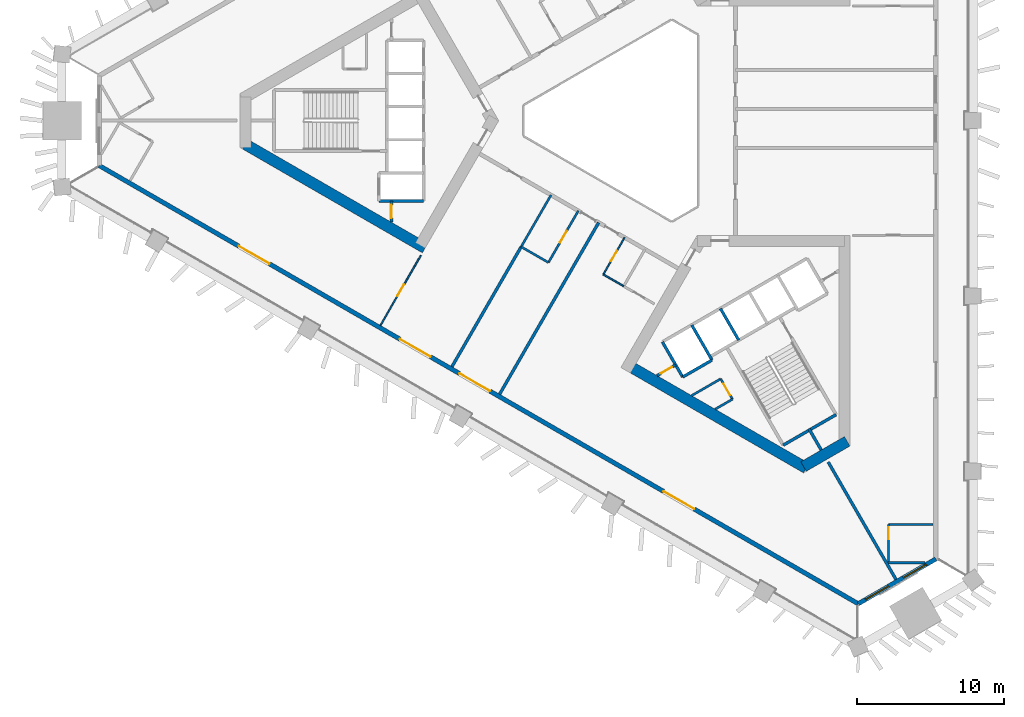
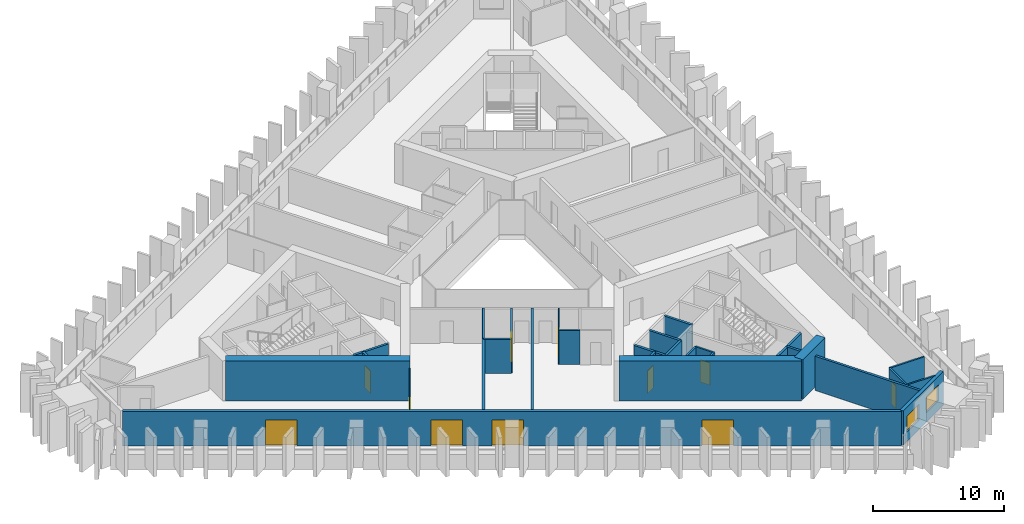
# One storey, part 2 of 10: 29 walls, 11 doors, 2 windows, 13 openings.
"""IFC4 building model written with IfcOpenShell, lengths in metres."""

from ifc_helpers import new_model, si_unit, direction, frame, frame_2d, origin, place, context, subcontext, project, spatial, rectangle, extrude, material, layer, layer_set, type_object, element, fill, save


model = new_model("IFC4")

# Units and contexts
model_context = context("Model", 3, precision=1e-05, world=origin(), true_north=direction((0.0, 1.0)))
body_context = subcontext(model_context, "Body", "Model", "MODEL_VIEW")
ifc_project = project(units=[si_unit("LENGTHUNIT", "METRE"), si_unit("AREAUNIT", "SQUARE_METRE"), si_unit("VOLUMEUNIT", "CUBIC_METRE"), si_unit("PLANEANGLEUNIT", "RADIAN"), si_unit("MASSUNIT", "GRAM", prefix="KILO")], contexts=[model_context])

# Site, building, storey
site_placement = place(None, origin())
site = spatial("IfcSite", under=ifc_project, at=site_placement, CompositionType="ELEMENT")
building_placement = place(site_placement, origin())
building = spatial("IfcBuilding", under=site, at=building_placement, Name="Jabali Bay Hotel Tower and Convention Centre", CompositionType="ELEMENT")
storey_placement = place(building_placement, frame((0.0, 0.0, 68.39990234375)))
storey = spatial("IfcBuildingStorey", under=building, at=storey_placement, Name="L15", CompositionType="ELEMENT", Elevation=68.39990234375)

# Wall, opening, door
ifc_material_1 = material(Name="Concrete C40", Category="concrete")
ifc_layer_1 = layer(ifc_material_1, 0.199951171875)
ifc_layer_set_1 = layer_set([ifc_layer_1], Name="Concrete C40")
wall_type_1 = type_object("IfcWallType", Name="Core partition wall 200", PredefinedType="PARTITIONING", material=ifc_layer_set_1)
wall_1_placement = place(storey_placement, frame((58.699951171875, 74.550048828125, 0.0), z_axis=(0.0, 0.0, 1.0), x_axis=(0.0, -1.0, 0.0)))
wall_1 = element("IfcWall", 1, at=wall_1_placement, inside=storey, type_object=wall_type_1, Name="Core wall 0.12 L15", PredefinedType="PARTITIONING", context=body_context, shape_type="SweptSolid", body=[
    extrude(rectangle(XDim=1.455078125, YDim=0.199951171875, at=frame_2d((0.7275390625, 0.0))), origin(), (0.0, 0.0, 1.0), 3.2001953125),
])
opening_1_placement = place(wall_1_placement, frame((0.277587890625, 0.0, 0.0)))
opening_1 = element("IfcOpeningElement", 2, at=opening_1_placement, cuts=wall_1, Name="Opening D386", PredefinedType="OPENING", context=body_context, shape_type="SweptSolid", body=[
    extrude(rectangle(XDim=0.89990234375, YDim=2.10009765625, at=frame_2d((0.449951171875, 1.050048828125))), frame((0.0, 0.1103515625, 0.0), z_axis=(0.0, -1.0, 0.0), x_axis=(1.0, 0.0, 0.0)), (0.0, 0.0, 1.0), 0.220947265625),
])
ifc_material_2 = material(Name="Fire-rated steel door", Category="steel")
door_type_1 = type_object("IfcDoorType", Name="Vestibule fire door 900 x 2100", OperationType="NOTDEFINED", PredefinedType="NOTDEFINED", material=ifc_material_2)
door_1_placement = place(opening_1_placement, origin())
door_1 = element("IfcDoor", 3, at=door_1_placement, inside=storey, type_object=door_type_1, Name="Vestibule fire door D386", OperationType="SINGLE_SWING_LEFT", OverallHeight=2.10009765625, OverallWidth=0.89990234375, PredefinedType="NOTDEFINED", context=body_context, shape_type="SweptSolid", body=[
    extrude(rectangle(XDim=0.89990234375, YDim=2.10009765625, at=frame_2d((0.449951171875, 1.050048828125))), frame((0.0, 0.02490234375, 0.0), z_axis=(0.0, -1.0, 0.0), x_axis=(1.0, 0.0, 0.0)), (0.0, 0.0, 1.0), 0.050048828125),
])
fill(opening_1, door_1)

# Wall
wall_2_placement = place(storey_placement, frame((87.090087890625, 59.0595703125, 0.0), z_axis=(0.0, 0.0, 1.0), x_axis=(0.499937194881, -0.866061661301, 0.0)))
element("IfcWall", 4, at=wall_2_placement, inside=storey, type_object=wall_type_1, Name="Core wall 2.5 L15", PredefinedType="PARTITIONING", context=body_context, shape_type="SweptSolid", body=[
    extrude(rectangle(XDim=1.673095703125, YDim=0.199951171875, at=frame_2d((0.83642578125, 0.0))), origin(), (0.0, 0.0, 1.0), 3.2001953125),
])

# Wall, opening, door
wall_3_placement = place(storey_placement, frame((76.77001953125, 62.662109375, 0.0), z_axis=(0.0, 0.0, 1.0), x_axis=(0.866054810376, 0.49994906283, 0.0)))
wall_3 = element("IfcWall", 5, at=wall_3_placement, inside=storey, type_object=wall_type_1, Name="Core wall 2.11 L15", PredefinedType="PARTITIONING", context=body_context, shape_type="SweptSolid", body=[
    extrude(rectangle(XDim=1.461181640625, YDim=0.199951171875, at=frame_2d((0.73046875, 0.0))), origin(), (0.0, 0.0, 1.0), 3.2001953125),
])
opening_2_placement = place(wall_3_placement, frame((0.280517578125, 0.0, 0.0)))
opening_2 = element("IfcOpeningElement", 6, at=opening_2_placement, cuts=wall_3, Name="Opening D399", PredefinedType="OPENING", context=body_context, shape_type="SweptSolid", body=[
    extrude(rectangle(XDim=0.89990234375, YDim=2.10009765625, at=frame_2d((0.449951171875, 1.050048828125))), frame((0.0, 0.1103515625, 0.0), z_axis=(0.0, -1.0, 0.0), x_axis=(1.0, 0.0, 0.0)), (0.0, 0.0, 1.0), 0.220947265625),
])
door_2_placement = place(opening_2_placement, origin())
door_2 = element("IfcDoor", 7, at=door_2_placement, inside=storey, type_object=door_type_1, Name="Vestibule fire door D399", OperationType="SINGLE_SWING_LEFT", OverallHeight=2.10009765625, OverallWidth=0.89990234375, PredefinedType="NOTDEFINED", context=body_context, shape_type="SweptSolid", body=[
    extrude(rectangle(XDim=0.89990234375, YDim=2.10009765625, at=frame_2d((0.449951171875, 1.050048828125))), frame((0.0, 0.02490234375, 0.0), z_axis=(0.0, -1.0, 0.0), x_axis=(1.0, 0.0, 0.0)), (0.0, 0.0, 1.0), 0.050048828125),
])
fill(opening_2, door_2)

ifc_material_3 = material(Name="Fire-rated board partition")
ifc_layer_2 = layer(ifc_material_3, 0.14990234375)
ifc_layer_set_2 = layer_set([ifc_layer_2], Name="Fire-rated board partition")
wall_type_2 = type_object("IfcWallType", Name="Core room partition 150", PredefinedType="PARTITIONING", material=ifc_layer_set_2)
wall_4_placement = place(storey_placement, frame((81.093994140625, 62.445068359375, 0.0), z_axis=(0.0, 0.0, 1.0), x_axis=(0.499880961361, -0.866094119867, 0.0)))
wall_4 = element("IfcWall", 8, at=wall_4_placement, inside=storey, type_object=wall_type_2, Name="Core wall 2.1 L15", PredefinedType="PARTITIONING", context=body_context, shape_type="SweptSolid", body=[
    extrude(rectangle(XDim=1.60009765625, YDim=0.14990234375, at=frame_2d((0.800048828125, 0.0))), origin(), (0.0, 0.0, 1.0), 3.2001953125),
])
opening_3_placement = place(wall_4_placement, frame((0.387451171875, 0.0, 0.0)))
opening_3 = element("IfcOpeningElement", 9, at=opening_3_placement, cuts=wall_4, Name="Opening D401", PredefinedType="OPENING", context=body_context, shape_type="SweptSolid", body=[
    extrude(rectangle(XDim=0.89990234375, YDim=2.10009765625, at=frame_2d((0.449951171875, 1.050048828125))), frame((0.0, 0.08544921875, 0.0), z_axis=(0.0, -1.0, 0.0), x_axis=(1.0, 0.0, 0.0)), (0.0, 0.0, 1.0), 0.1708984375),
])
door_type_2 = type_object("IfcDoorType", Name="Core room door 900 x 2100", OperationType="NOTDEFINED", PredefinedType="NOTDEFINED", material=ifc_material_2)
door_3_placement = place(opening_3_placement, origin())
door_3 = element("IfcDoor", 10, at=door_3_placement, inside=storey, type_object=door_type_2, Name="Core room door D401", OperationType="SINGLE_SWING_LEFT", OverallHeight=2.10009765625, OverallWidth=0.89990234375, PredefinedType="NOTDEFINED", context=body_context, shape_type="SweptSolid", body=[
    extrude(rectangle(XDim=0.89990234375, YDim=2.10009765625, at=frame_2d((0.449951171875, 1.050048828125))), frame((0.0, 0.02490234375, 0.0), z_axis=(0.0, -1.0, 0.0), x_axis=(1.0, 0.0, 0.0)), (0.0, 0.0, 1.0), 0.050048828125),
])
fill(opening_3, door_3)

# Walls
wall_5_placement = place(storey_placement, frame((79.119873046875, 61.305419921875, 0.0), z_axis=(0.0, 0.0, 1.0), x_axis=(0.866046471269, 0.499963508271, 0.0)))
element("IfcWall", 11, at=wall_5_placement, inside=storey, type_object=wall_type_2, Name="Core wall 2.16 L15", PredefinedType="PARTITIONING", context=body_context, shape_type="SweptSolid", body=[
    extrude(rectangle(XDim=2.279541015625, YDim=0.14990234375, at=frame_2d((1.1396484375, 0.0))), origin(), (0.0, 0.0, 1.0), 3.2001953125),
])
wall_6_placement = place(storey_placement, frame((80.719970703125, 60.381591796875, 0.0), z_axis=(0.0, 0.0, 1.0), x_axis=(0.866017611601, 0.500013496215, 0.0)))
element("IfcWall", 12, at=wall_6_placement, inside=storey, type_object=wall_type_2, Name="Core wall 2.17 L15", PredefinedType="PARTITIONING", context=body_context, shape_type="SweptSolid", body=[
    extrude(rectangle(XDim=1.35546875, YDim=0.14990234375, at=frame_2d((0.677734375, 0.0))), origin(), (0.0, 0.0, 1.0), 3.2001953125),
])
ifc_layer_3 = layer(ifc_material_1, 0.199951171875)
ifc_layer_set_3 = layer_set([ifc_layer_3], Name="Concrete C40")
wall_type_3 = type_object("IfcWallType", Name="Core stair wall 200", PredefinedType="SOLIDWALL", material=ifc_layer_set_3)
wall_7_placement = place(storey_placement, frame((60.89990234375, 74.550048828125, 0.0), z_axis=(0.0, 0.0, 1.0), x_axis=(-1.0, 0.0, 0.0)))
element("IfcWall", 13, at=wall_7_placement, inside=storey, type_object=wall_type_3, Name="Core wall 0.9 L15", PredefinedType="SOLIDWALL", context=body_context, shape_type="SweptSolid", body=[
    extrude(rectangle(XDim=3.0498046875, YDim=0.199951171875, at=frame_2d((1.52490234375, 0.0))), origin(), (0.0, 0.0, 1.0), 3.2001953125),
])
for number, where, z_axis, x_axis, name in (
    (14, (77.13525390625, 64.95166015625, 0.0), (0.0, 0.0, 1.0), (0.499996545922, -0.866027397988, 0.0), "Core wall 2.0 L15"),
    (15, (79.127197265625, 66.1015625, 0.0), (0.0, 0.0, 1.0), (0.499996545922, -0.866027397988, 0.0), "Core wall 2.2 L15"),
):
    element("IfcWall", number, at=place(storey_placement, frame(where, z_axis=z_axis, x_axis=x_axis)), inside=storey, type_object=wall_type_3, Name=name, PredefinedType="SOLIDWALL", context=body_context, shape_type="SweptSolid", body=[
        extrude(rectangle(XDim=2.75, YDim=0.199951171875, at=frame_2d((1.375, 0.0))), origin(), (0.0, 0.0, 1.0), 3.2001953125),
    ])
wall_8_placement = place(storey_placement, frame((81.07568359375, 67.2265625, 0.0), z_axis=(0.0, 0.0, 1.0), x_axis=(0.50000366821, -0.866023285932, 0.0)))
element("IfcWall", 16, at=wall_8_placement, inside=storey, type_object=wall_type_3, Name="Core wall 2.4 L15", PredefinedType="SOLIDWALL", context=body_context, shape_type="SweptSolid", body=[
    extrude(rectangle(XDim=2.47998046875, YDim=0.199951171875, at=frame_2d((1.239990234375, 0.0))), origin(), (0.0, 0.0, 1.0), 3.2001953125),
])
wall_9_placement = place(storey_placement, frame((78.51025390625, 62.570068359375, 0.0), z_axis=(0.0, 0.0, 1.0), x_axis=(0.866053019151, 0.499952165731, 0.0)))
element("IfcWall", 17, at=wall_9_placement, inside=storey, type_object=wall_type_3, Name="Core wall 2.14 L15", PredefinedType="SOLIDWALL", context=body_context, shape_type="SweptSolid", body=[
    extrude(rectangle(XDim=2.300048828125, YDim=0.199951171875, at=frame_2d((1.14990234375, 0.0))), origin(), (0.0, 0.0, 1.0), 3.2001953125),
])
wall_10_placement = place(storey_placement, frame((85.343017578125, 57.935302734375, 0.0), z_axis=(0.0, 0.0, 1.0), x_axis=(0.866004344652, 0.500036473714, 0.0)))
element("IfcWall", 18, at=wall_10_placement, inside=storey, type_object=wall_type_3, Name="Core wall 2.18 L15", PredefinedType="SOLIDWALL", context=body_context, shape_type="SweptSolid", body=[
    extrude(rectangle(XDim=4.150146484375, YDim=0.199951171875, at=frame_2d((2.0751953125, 0.0))), origin(), (0.0, 0.0, 1.0), 3.2001953125),
])
ifc_material_4 = material(Name="Concrete C60", Category="concrete")
ifc_layer_4 = layer(ifc_material_4, 0.75)
ifc_layer_set_4 = layer_set([ifc_layer_4], Name="Concrete C60")
wall_type_4 = type_object("IfcWallType", Name="Core wall 750", PredefinedType="SHEAR", material=ifc_layer_set_4)
wall_11_placement = place(storey_placement, frame((48.77197265625, 78.393798828125, 0.0), z_axis=(0.0, 0.0, 1.0), x_axis=(0.866028339916, -0.499994914436, 0.0)))
element("IfcWall", 19, at=wall_11_placement, inside=storey, type_object=wall_type_4, Name="Core wall 1.4 L15", PredefinedType="SHEAR", context=body_context, shape_type="SweptSolid", body=[
    extrude(rectangle(XDim=14.116943359375, YDim=0.75, at=frame_2d((7.05859375, 0.0))), origin(), (0.0, 0.0, 1.0), 3.7001953125),
])
wall_12_placement = place(storey_placement, frame((74.822265625, 63.353759765625, 0.0), z_axis=(0.0, 0.0, 1.0), x_axis=(0.8660248072, -0.500001033313, 0.0)))
element("IfcWall", 20, at=wall_12_placement, inside=storey, type_object=wall_type_4, Name="Core wall 3.2 L15", PredefinedType="SHEAR", context=body_context, shape_type="SweptSolid", body=[
    extrude(rectangle(XDim=13.95849609375, YDim=0.75, at=frame_2d((6.979248046875, 0.0))), origin(), (0.0, 0.0, 1.0), 3.7001953125),
])
wall_13_placement = place(storey_placement, frame((86.72314453125, 56.482666015625, 0.0), z_axis=(0.0, 0.0, 1.0), x_axis=(0.866017201164, 0.500014207086, 0.0)))
element("IfcWall", 21, at=wall_13_placement, inside=storey, type_object=wall_type_4, Name="Core wall 3.3 L15", PredefinedType="SHEAR", context=body_context, shape_type="SweptSolid", body=[
    extrude(rectangle(XDim=3.4287109375, YDim=0.75, at=frame_2d((1.71435546875, 0.0))), origin(), (0.0, 0.0, 1.0), 3.7001953125),
])

# Wall, openings, windows
ifc_layer_5 = layer(ifc_material_1, 0.300048828125)
ifc_layer_set_5 = layer_set([ifc_layer_5], Name="Concrete C40")
wall_type_5 = type_object("IfcWallType", Name="External wall 300", PredefinedType="SOLIDWALL", material=ifc_layer_set_5)
wall_14_placement = place(storey_placement, frame((95.724853515625, 50.2021484375, 0.0), z_axis=(0.0, 0.0, 1.0), x_axis=(-0.866022255349, -0.500005453211, 0.0)))
wall_14 = element("IfcWall", 22, at=wall_14_placement, inside=storey, type_object=wall_type_5, Name="External wall south-east chamfer L15", PredefinedType="SOLIDWALL", context=body_context, shape_type="SweptSolid", body=[
    extrude(rectangle(XDim=6.0986328125, YDim=0.300048828125, at=frame_2d((3.04931640625, 0.0))), origin(), (0.0, 0.0, 1.0), 3.2001953125),
])
opening_4_placement = place(wall_14_placement, frame((0.74853515625, 0.0, 0.89990234375)))
opening_4 = element("IfcOpeningElement", 23, at=opening_4_placement, cuts=wall_14, Name="Opening W1", PredefinedType="OPENING", context=body_context, shape_type="SweptSolid", body=[
    extrude(rectangle(XDim=1.800048828125, YDim=1.5, at=frame_2d((0.89990234375, 0.75))), frame((0.0, 0.16064453125, 0.0), z_axis=(0.0, -1.0, 0.0), x_axis=(1.0, 0.0, 0.0)), (0.0, 0.0, 1.0), 0.321044921875),
])
opening_5_placement = place(wall_14_placement, frame((3.716552734375, 0.0, 0.89990234375)))
opening_5 = element("IfcOpeningElement", 24, at=opening_5_placement, cuts=wall_14, Name="Opening W1", PredefinedType="OPENING", context=body_context, shape_type="SweptSolid", body=[
    extrude(rectangle(XDim=1.800048828125, YDim=1.5, at=frame_2d((0.89990234375, 0.75))), frame((0.0, 0.16064453125, 0.0), z_axis=(0.0, -1.0, 0.0), x_axis=(1.0, 0.0, 0.0)), (0.0, 0.0, 1.0), 0.321044921875),
])
ifc_material_5 = material(Name="Glass", Category="glass")
window_type = type_object("IfcWindowType", Name="Window 1800 x 1500", PartitioningType="SINGLE_PANEL", PredefinedType="WINDOW", material=ifc_material_5)
window_1_placement = place(opening_4_placement, origin())
window_1 = element("IfcWindow", 25, at=window_1_placement, inside=storey, type_object=window_type, Name="Window 1501", OverallHeight=1.5, OverallWidth=1.800048828125, PartitioningType="SINGLE_PANEL", PredefinedType="WINDOW", context=body_context, shape_type="SweptSolid", body=[
    extrude(rectangle(XDim=1.800048828125, YDim=1.5, at=frame_2d((0.89990234375, 0.75))), frame((0.0, 0.030029296875, 0.0), z_axis=(0.0, -1.0, 0.0), x_axis=(1.0, 0.0, 0.0)), (0.0, 0.0, 1.0), 0.06005859375),
])
fill(opening_4, window_1)
window_2_placement = place(opening_5_placement, origin())
window_2 = element("IfcWindow", 26, at=window_2_placement, inside=storey, type_object=window_type, Name="Window 1510", OverallHeight=1.5, OverallWidth=1.800048828125, PartitioningType="SINGLE_PANEL", PredefinedType="WINDOW", context=body_context, shape_type="SweptSolid", body=[
    extrude(rectangle(XDim=1.800048828125, YDim=1.5, at=frame_2d((0.89990234375, 0.75))), frame((0.0, 0.030029296875, 0.0), z_axis=(0.0, -1.0, 0.0), x_axis=(1.0, 0.0, 0.0)), (0.0, 0.0, 1.0), 0.06005859375),
])
fill(opening_5, window_2)

# Wall, openings, doors
wall_15_placement = place(storey_placement, frame((90.443359375, 47.15283203125, 0.0), z_axis=(0.0, 0.0, 1.0), x_axis=(-0.866024382485, 0.500001768939, 0.0)))
wall_15 = element("IfcWall", 27, at=wall_15_placement, inside=storey, type_object=wall_type_5, Name="External wall south-west face L15", PredefinedType="SOLIDWALL", context=body_context, shape_type="SweptSolid", body=[
    extrude(rectangle(XDim=59.595947265625, YDim=0.300048828125, at=frame_2d((29.7978515625, 0.0))), origin(), (0.0, 0.0, 1.0), 3.2001953125),
])
opening_6_placement = place(wall_15_placement, frame((28.90966796875, 0.0, 0.0)))
opening_6 = element("IfcOpeningElement", 28, at=opening_6_placement, cuts=wall_15, Name="Opening SD1", PredefinedType="OPENING", context=body_context, shape_type="SweptSolid", body=[
    extrude(rectangle(XDim=2.39990234375, YDim=2.39990234375, at=frame_2d((1.199951171875, 1.199951171875))), frame((0.0, 0.16064453125, 0.0), z_axis=(0.0, -1.0, 0.0), x_axis=(1.0, 0.0, 0.0)), (0.0, 0.0, 1.0), 0.321044921875),
])
opening_7_placement = place(wall_15_placement, frame((33.586181640625, 0.0, 0.0)))
opening_7 = element("IfcOpeningElement", 29, at=opening_7_placement, cuts=wall_15, Name="Opening SD1", PredefinedType="OPENING", context=body_context, shape_type="SweptSolid", body=[
    extrude(rectangle(XDim=2.39990234375, YDim=2.39990234375, at=frame_2d((1.199951171875, 1.199951171875))), frame((0.0, 0.16064453125, 0.0), z_axis=(0.0, -1.0, 0.0), x_axis=(1.0, 0.0, 0.0)), (0.0, 0.0, 1.0), 0.321044921875),
])
opening_8_placement = place(wall_15_placement, frame((46.230224609375, 0.0, 0.0)))
opening_8 = element("IfcOpeningElement", 30, at=opening_8_placement, cuts=wall_15, Name="Opening SD1", PredefinedType="OPENING", context=body_context, shape_type="SweptSolid", body=[
    extrude(rectangle(XDim=2.39990234375, YDim=2.39990234375, at=frame_2d((1.199951171875, 1.199951171875))), frame((0.0, 0.16064453125, 0.0), z_axis=(0.0, -1.0, 0.0), x_axis=(1.0, 0.0, 0.0)), (0.0, 0.0, 1.0), 0.321044921875),
])
opening_9_placement = place(wall_15_placement, frame((12.876220703125, 0.0, 0.0)))
opening_9 = element("IfcOpeningElement", 31, at=opening_9_placement, cuts=wall_15, Name="Opening SD1", PredefinedType="OPENING", context=body_context, shape_type="SweptSolid", body=[
    extrude(rectangle(XDim=2.39990234375, YDim=2.39990234375, at=frame_2d((1.199951171875, 1.199951171875))), frame((0.0, 0.16064453125, 0.0), z_axis=(0.0, -1.0, 0.0), x_axis=(1.0, 0.0, 0.0)), (0.0, 0.0, 1.0), 0.321044921875),
])
door_type_3 = type_object("IfcDoorType", Name="Loggia sliding door 2400 x 2400", OperationType="NOTDEFINED", PredefinedType="NOTDEFINED", material=ifc_material_5)
door_4_placement = place(opening_6_placement, origin())
door_4 = element("IfcDoor", 32, at=door_4_placement, inside=storey, type_object=door_type_3, Name="Loggia sliding door 1509", OperationType="SLIDING_TO_LEFT", OverallHeight=2.39990234375, OverallWidth=2.39990234375, PredefinedType="NOTDEFINED", context=body_context, shape_type="SweptSolid", body=[
    extrude(rectangle(XDim=2.39990234375, YDim=2.39990234375, at=frame_2d((1.199951171875, 1.199951171875))), frame((0.0, 0.02490234375, 0.0), z_axis=(0.0, -1.0, 0.0), x_axis=(1.0, 0.0, 0.0)), (0.0, 0.0, 1.0), 0.050048828125),
])
fill(opening_6, door_4)
door_5_placement = place(opening_7_placement, origin())
door_5 = element("IfcDoor", 33, at=door_5_placement, inside=storey, type_object=door_type_3, Name="Loggia sliding door 1508", OperationType="SLIDING_TO_RIGHT", OverallHeight=2.39990234375, OverallWidth=2.39990234375, PredefinedType="NOTDEFINED", context=body_context, shape_type="SweptSolid", body=[
    extrude(rectangle(XDim=2.39990234375, YDim=2.39990234375, at=frame_2d((1.199951171875, 1.199951171875))), frame((0.0, 0.02490234375, 0.0), z_axis=(0.0, -1.0, 0.0), x_axis=(1.0, 0.0, 0.0)), (0.0, 0.0, 1.0), 0.050048828125),
])
fill(opening_7, door_5)
door_6_placement = place(opening_8_placement, origin())
door_6 = element("IfcDoor", 34, at=door_6_placement, inside=storey, type_object=door_type_3, Name="Loggia sliding door 1508", OperationType="SLIDING_TO_LEFT", OverallHeight=2.39990234375, OverallWidth=2.39990234375, PredefinedType="NOTDEFINED", context=body_context, shape_type="SweptSolid", body=[
    extrude(rectangle(XDim=2.39990234375, YDim=2.39990234375, at=frame_2d((1.199951171875, 1.199951171875))), frame((0.0, 0.02490234375, 0.0), z_axis=(0.0, -1.0, 0.0), x_axis=(1.0, 0.0, 0.0)), (0.0, 0.0, 1.0), 0.050048828125),
])
fill(opening_8, door_6)
door_7_placement = place(opening_9_placement, origin())
door_7 = element("IfcDoor", 35, at=door_7_placement, inside=storey, type_object=door_type_3, Name="Loggia sliding door 1510", OperationType="SLIDING_TO_RIGHT", OverallHeight=2.39990234375, OverallWidth=2.39990234375, PredefinedType="NOTDEFINED", context=body_context, shape_type="SweptSolid", body=[
    extrude(rectangle(XDim=2.39990234375, YDim=2.39990234375, at=frame_2d((1.199951171875, 1.199951171875))), frame((0.0, 0.02490234375, 0.0), z_axis=(0.0, -1.0, 0.0), x_axis=(1.0, 0.0, 0.0)), (0.0, 0.0, 1.0), 0.050048828125),
])
fill(opening_9, door_7)

# Wall, opening, door
ifc_material_6 = material(Name="Plasterboard on steel stud", Category="steel")
ifc_layer_6 = layer(ifc_material_6, 0.10009765625)
ifc_layer_set_6 = layer_set([ifc_layer_6], Name="Plasterboard on steel stud")
wall_type_6 = type_object("IfcWallType", Name="Partition 100 unit", PredefinedType="PARTITIONING", material=ifc_layer_set_6)
wall_16_placement = place(storey_placement, frame((60.71044921875, 70.83837890625, 0.0), z_axis=(0.0, 0.0, 1.0), x_axis=(-0.499974920023, -0.866039883231, 0.0)))
wall_16 = element("IfcWall", 36, at=wall_16_placement, inside=storey, type_object=wall_type_6, Name="Partition P02 L15 027", PredefinedType="PARTITIONING", context=body_context, shape_type="SweptSolid", body=[
    extrude(rectangle(XDim=5.496826171875, YDim=0.10009765625, at=frame_2d((2.74853515625, 0.0))), origin(), (0.0, 0.0, 1.0), 3.2001953125),
])
opening_10_placement = place(wall_16_placement, frame((2.298095703125, 0.0, 0.0)))
opening_10 = element("IfcOpeningElement", 37, at=opening_10_placement, cuts=wall_16, Name="Opening 1518", PredefinedType="OPENING", context=body_context, shape_type="SweptSolid", body=[
    extrude(rectangle(XDim=0.89990234375, YDim=2.10009765625, at=frame_2d((0.449951171875, 1.050048828125))), frame((0.0, 0.060546875, 0.0), z_axis=(0.0, -1.0, 0.0), x_axis=(1.0, 0.0, 0.0)), (0.0, 0.0, 1.0), 0.12109375),
])
ifc_material_7 = material(Name="Timber", Category="wood")
door_type_4 = type_object("IfcDoorType", Name="Internal door 900 x 2100", OperationType="NOTDEFINED", PredefinedType="NOTDEFINED", material=ifc_material_7)
door_8_placement = place(opening_10_placement, origin())
door_8 = element("IfcDoor", 38, at=door_8_placement, inside=storey, type_object=door_type_4, Name="Door 1518", OperationType="SINGLE_SWING_LEFT", OverallHeight=2.10009765625, OverallWidth=0.89990234375, PredefinedType="NOTDEFINED", context=body_context, shape_type="SweptSolid", body=[
    extrude(rectangle(XDim=0.89990234375, YDim=2.10009765625, at=frame_2d((0.449951171875, 1.050048828125))), frame((0.0, 0.02490234375, 0.0), z_axis=(0.0, -1.0, 0.0), x_axis=(1.0, 0.0, 0.0)), (0.0, 0.0, 1.0), 0.050048828125),
])
fill(opening_10, door_8)

# Wall
wall_17_placement = place(storey_placement, frame((74.498291015625, 68.74267578125, 0.0), z_axis=(0.0, 0.0, 1.0), x_axis=(-0.865989903783, 0.500061482766, 0.0)))
element("IfcWall", 39, at=wall_17_placement, inside=storey, type_object=wall_type_6, Name="Partition P02 L15 037", PredefinedType="PARTITIONING", context=body_context, shape_type="SweptSolid", body=[
    extrude(rectangle(XDim=1.599853515625, YDim=0.10009765625, at=frame_2d((0.7998046875, 0.0))), origin(), (0.0, 0.0, 1.0), 3.2001953125),
])

# Wall, opening, door
wall_18_placement = place(storey_placement, frame((73.11279296875, 69.542724609375, 0.0), z_axis=(0.0, 0.0, 1.0), x_axis=(0.499987231761, 0.866032775405, 0.0)))
wall_18 = element("IfcWall", 40, at=wall_18_placement, inside=storey, type_object=wall_type_6, Name="Partition P02 L15 038", PredefinedType="PARTITIONING", context=body_context, shape_type="SweptSolid", body=[
    extrude(rectangle(XDim=2.89990234375, YDim=0.10009765625, at=frame_2d((1.449951171875, 0.0))), origin(), (0.0, 0.0, 1.0), 3.2001953125),
])
opening_11_placement = place(wall_18_placement, frame((1.050048828125, 0.0, 0.0)))
opening_11 = element("IfcOpeningElement", 41, at=opening_11_placement, cuts=wall_18, Name="Opening 1523", PredefinedType="OPENING", context=body_context, shape_type="SweptSolid", body=[
    extrude(rectangle(XDim=0.800048828125, YDim=2.10009765625, at=frame_2d((0.39990234375, 1.050048828125))), frame((0.0, 0.060546875, 0.0), z_axis=(0.0, -1.0, 0.0), x_axis=(1.0, 0.0, 0.0)), (0.0, 0.0, 1.0), 0.12109375),
])
door_type_5 = type_object("IfcDoorType", Name="Dressing room door 800 x 2100", OperationType="NOTDEFINED", PredefinedType="NOTDEFINED", material=ifc_material_7)
door_9_placement = place(opening_11_placement, origin())
door_9 = element("IfcDoor", 42, at=door_9_placement, inside=storey, type_object=door_type_5, Name="Door 1523", OperationType="SINGLE_SWING_RIGHT", OverallHeight=2.10009765625, OverallWidth=0.800048828125, PredefinedType="NOTDEFINED", context=body_context, shape_type="SweptSolid", body=[
    extrude(rectangle(XDim=0.800048828125, YDim=2.10009765625, at=frame_2d((0.39990234375, 1.050048828125))), frame((0.0, 0.02490234375, 0.0), z_axis=(0.0, -1.0, 0.0), x_axis=(1.0, 0.0, 0.0)), (0.0, 0.0, 1.0), 0.050048828125),
])
fill(opening_11, door_9)

# Wall
ifc_layer_7 = layer(ifc_material_6, 0.14990234375)
ifc_layer_set_7 = layer_set([ifc_layer_7], Name="Plasterboard on steel stud")
wall_type_7 = type_object("IfcWallType", Name="Partition 150 wet", PredefinedType="PARTITIONING", material=ifc_layer_set_7)
wall_19_placement = place(storey_placement, frame((94.98583984375, 49.947509765625, 0.0), z_axis=(0.0, 0.0, 1.0), x_axis=(-1.0, 0.0, 0.0)))
element("IfcWall", 43, at=wall_19_placement, inside=storey, type_object=wall_type_7, Name="Partition P03 L15 003", PredefinedType="PARTITIONING", context=body_context, shape_type="SweptSolid", body=[
    extrude(rectangle(XDim=2.484375, YDim=0.14990234375, at=frame_2d((1.2421875, 0.0))), origin(), (0.0, 0.0, 1.0), 3.2001953125),
])

# Wall, opening, door
wall_20_placement = place(storey_placement, frame((92.50146484375, 49.947509765625, 0.0), z_axis=(0.0, 0.0, 1.0), x_axis=(0.0, 1.0, 0.0)))
wall_20 = element("IfcWall", 44, at=wall_20_placement, inside=storey, type_object=wall_type_7, Name="Partition P03 L15 004", PredefinedType="PARTITIONING", context=body_context, shape_type="SweptSolid", body=[
    extrude(rectangle(XDim=2.60009765625, YDim=0.14990234375, at=frame_2d((1.300048828125, 0.0))), origin(), (0.0, 0.0, 1.0), 3.2001953125),
])
opening_12_placement = place(wall_20_placement, frame((1.60009765625, 0.0, 0.0)))
opening_12 = element("IfcOpeningElement", 45, at=opening_12_placement, cuts=wall_20, Name="Opening 1503", PredefinedType="OPENING", context=body_context, shape_type="SweptSolid", body=[
    extrude(rectangle(XDim=0.800048828125, YDim=2.10009765625, at=frame_2d((0.39990234375, 1.050048828125))), frame((0.0, 0.08544921875, 0.0), z_axis=(0.0, -1.0, 0.0), x_axis=(1.0, 0.0, 0.0)), (0.0, 0.0, 1.0), 0.1708984375),
])
door_type_6 = type_object("IfcDoorType", Name="En-suite door 800 x 2100", OperationType="NOTDEFINED", PredefinedType="NOTDEFINED", material=ifc_material_7)
door_10_placement = place(opening_12_placement, origin())
door_10 = element("IfcDoor", 46, at=door_10_placement, inside=storey, type_object=door_type_6, Name="Door 1503", OperationType="SINGLE_SWING_RIGHT", OverallHeight=2.10009765625, OverallWidth=0.800048828125, PredefinedType="NOTDEFINED", context=body_context, shape_type="SweptSolid", body=[
    extrude(rectangle(XDim=0.800048828125, YDim=2.10009765625, at=frame_2d((0.39990234375, 1.050048828125))), frame((0.0, 0.02490234375, 0.0), z_axis=(0.0, -1.0, 0.0), x_axis=(1.0, 0.0, 0.0)), (0.0, 0.0, 1.0), 0.050048828125),
])
fill(opening_12, door_10)

# Walls
wall_21_placement = place(storey_placement, frame((92.50146484375, 52.547607421875, 0.0), z_axis=(0.0, 0.0, 1.0), x_axis=(1.0, 0.0, 0.0)))
element("IfcWall", 47, at=wall_21_placement, inside=storey, type_object=wall_type_7, Name="Partition P03 L15 005", PredefinedType="PARTITIONING", context=body_context, shape_type="SweptSolid", body=[
    extrude(rectangle(XDim=3.033203125, YDim=0.14990234375, at=frame_2d((1.5166015625, 0.0))), origin(), (0.0, 0.0, 1.0), 3.2001953125),
])
wall_22_placement = place(storey_placement, frame((67.528564453125, 71.423583984375, 0.0), z_axis=(0.0, 0.0, 1.0), x_axis=(0.499984252764, 0.866034495264, 0.0)))
element("IfcWall", 48, at=wall_22_placement, inside=storey, type_object=wall_type_7, Name="Partition P03 L15 029", PredefinedType="PARTITIONING", context=body_context, shape_type="SweptSolid", body=[
    extrude(rectangle(XDim=4.063232421875, YDim=0.14990234375, at=frame_2d((2.03173828125, 0.0))), origin(), (0.0, 0.0, 1.0), 3.2001953125),
])

# Wall, opening, door
wall_23_placement = place(storey_placement, frame((71.414306640625, 73.871826171875, 0.0), z_axis=(0.0, 0.0, 1.0), x_axis=(-0.499984252764, -0.866034495264, 0.0)))
wall_23 = element("IfcWall", 49, at=wall_23_placement, inside=storey, type_object=wall_type_7, Name="Partition P03 L15 033", PredefinedType="PARTITIONING", context=body_context, shape_type="SweptSolid", body=[
    extrude(rectangle(XDim=4.063232421875, YDim=0.14990234375, at=frame_2d((2.03173828125, 0.0))), origin(), (0.0, 0.0, 1.0), 3.2001953125),
])
opening_13_placement = place(wall_23_placement, frame((1.58203125, 0.0, 0.0)))
opening_13 = element("IfcOpeningElement", 50, at=opening_13_placement, cuts=wall_23, Name="Opening 1520", PredefinedType="OPENING", context=body_context, shape_type="SweptSolid", body=[
    extrude(rectangle(XDim=0.89990234375, YDim=2.10009765625, at=frame_2d((0.449951171875, 1.050048828125))), frame((0.0, 0.08544921875, 0.0), z_axis=(0.0, -1.0, 0.0), x_axis=(1.0, 0.0, 0.0)), (0.0, 0.0, 1.0), 0.1708984375),
])
door_type_7 = type_object("IfcDoorType", Name="Accessible en-suite door 900 x 2100", OperationType="NOTDEFINED", PredefinedType="NOTDEFINED", material=ifc_material_7)
door_11_placement = place(opening_13_placement, origin())
door_11 = element("IfcDoor", 51, at=door_11_placement, inside=storey, type_object=door_type_7, Name="Door 1520", OperationType="SINGLE_SWING_RIGHT", OverallHeight=2.10009765625, OverallWidth=0.89990234375, PredefinedType="NOTDEFINED", context=body_context, shape_type="SweptSolid", body=[
    extrude(rectangle(XDim=0.89990234375, YDim=2.10009765625, at=frame_2d((0.449951171875, 1.050048828125))), frame((0.0, 0.02490234375, 0.0), z_axis=(0.0, -1.0, 0.0), x_axis=(1.0, 0.0, 0.0)), (0.0, 0.0, 1.0), 0.050048828125),
])
fill(opening_13, door_11)

# Walls
wall_24_placement = place(storey_placement, frame((69.3828125, 70.35302734375, 0.0), z_axis=(0.0, 0.0, 1.0), x_axis=(-0.866024183959, 0.500002112793, 0.0)))
element("IfcWall", 52, at=wall_24_placement, inside=storey, type_object=wall_type_7, Name="Partition P03 L15 034", PredefinedType="PARTITIONING", context=body_context, shape_type="SweptSolid", body=[
    extrude(rectangle(XDim=2.14111328125, YDim=0.14990234375, at=frame_2d((1.070556640625, 0.0))), origin(), (0.0, 0.0, 1.0), 3.2001953125),
])
ifc_layer_8 = layer(ifc_material_6, 0.199951171875)
ifc_layer_set_8 = layer_set([ifc_layer_8], Name="Plasterboard on steel stud")
wall_type_8 = type_object("IfcWallType", Name="Partition 200 party", PredefinedType="PARTITIONING", material=ifc_layer_set_8)
wall_25_placement = place(storey_placement, frame((88.40185546875, 56.789306640625, 0.0), z_axis=(0.0, 0.0, 1.0), x_axis=(0.500010587453, -0.86601929103, 0.0)))
element("IfcWall", 53, at=wall_25_placement, inside=storey, type_object=wall_type_8, Name="Partition P01 L15 006", PredefinedType="PARTITIONING", context=body_context, shape_type="SweptSolid", body=[
    extrude(rectangle(XDim=9.217041015625, YDim=0.199951171875, at=frame_2d((4.6083984375, 0.0))), origin(), (0.0, 0.0, 1.0), 3.2001953125),
])
wall_26_placement = place(storey_placement, frame((62.822021484375, 63.27197265625, 0.0), z_axis=(0.0, 0.0, 1.0), x_axis=(0.50001657107, 0.866015836261, 0.0)))
element("IfcWall", 54, at=wall_26_placement, inside=storey, type_object=wall_type_8, Name="Partition P01 L15 028", PredefinedType="PARTITIONING", context=body_context, shape_type="SweptSolid", body=[
    extrude(rectangle(XDim=9.412841796875, YDim=0.199951171875, at=frame_2d((4.70654296875, 0.0))), origin(), (0.0, 0.0, 1.0), 3.2001953125),
])
wall_27_placement = place(storey_placement, frame((66.06201171875, 61.4013671875, 0.0), z_axis=(0.0, 0.0, 1.0), x_axis=(0.500006826849, 0.866021462265, 0.0)))
element("IfcWall", 55, at=wall_27_placement, inside=storey, type_object=wall_type_8, Name="Partition P01 L15 035", PredefinedType="PARTITIONING", context=body_context, shape_type="SweptSolid", body=[
    extrude(rectangle(XDim=13.475830078125, YDim=0.199951171875, at=frame_2d((6.73779296875, 0.0))), origin(), (0.0, 0.0, 1.0), 3.2001953125),
])

save(model, "model.ifc")
